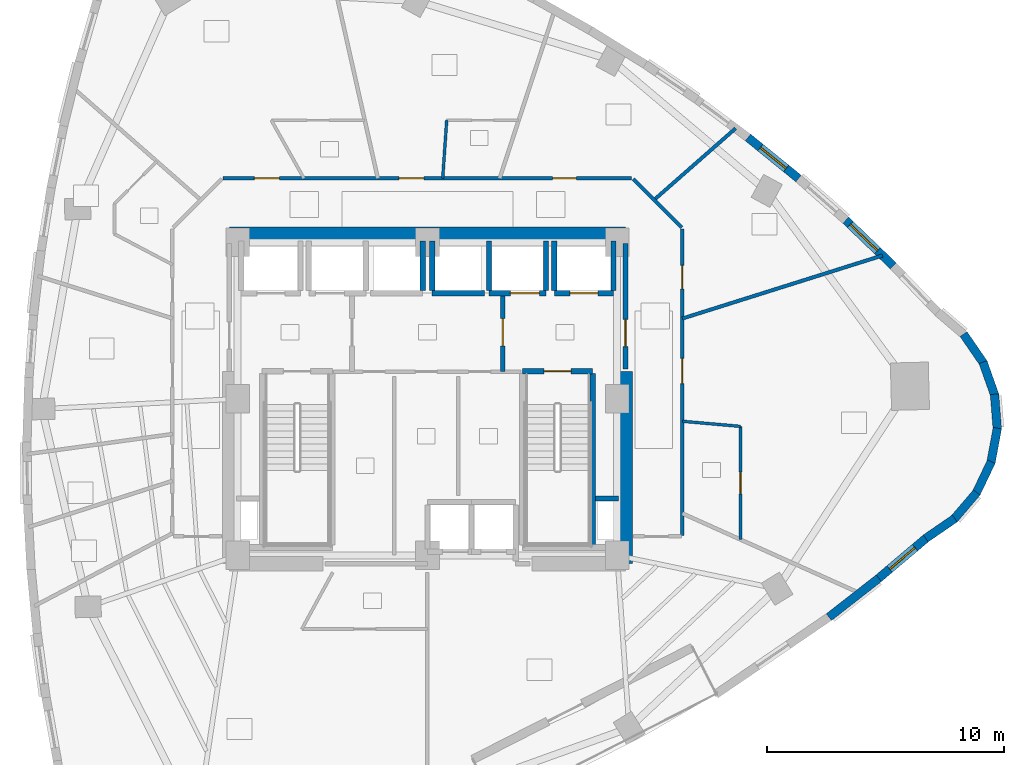
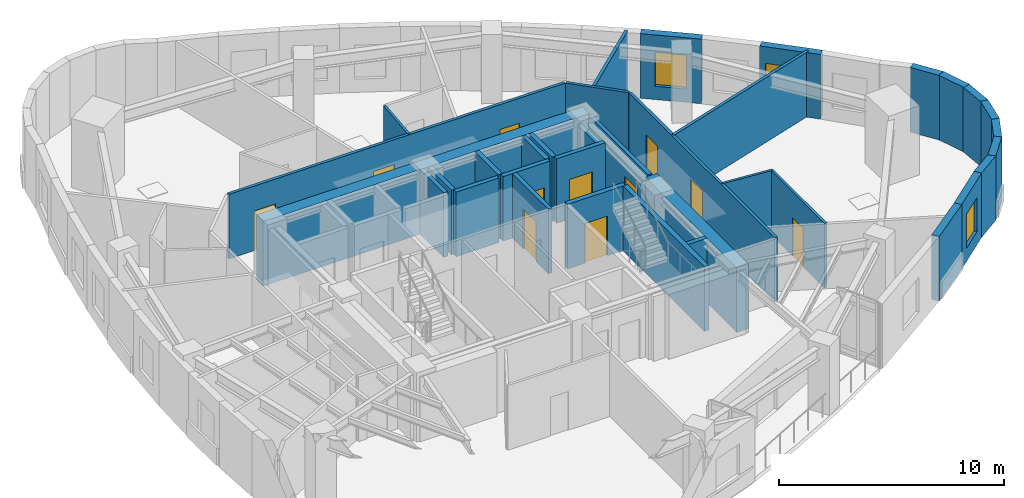
# One storey, part 7 of 11: 35 walls, 11 doors, 3 windows, 14 openings.
"""IFC4 building model written with IfcOpenShell, lengths in metres."""

from ifc_helpers import new_model, si_unit, direction, frame, frame_2d, origin, place, context, subcontext, project, spatial, rectangle, extrude, material, layer, layer_set, type_object, element, fill, save


model = new_model("IFC4")

# Units and contexts
model_context = context("Model", 3, precision=1e-05, world=origin(), true_north=direction((0.0, 1.0)))
body_context = subcontext(model_context, "Body", "Model", "MODEL_VIEW")
ifc_project = project(units=[si_unit("LENGTHUNIT", "METRE"), si_unit("AREAUNIT", "SQUARE_METRE"), si_unit("VOLUMEUNIT", "CUBIC_METRE"), si_unit("PLANEANGLEUNIT", "RADIAN"), si_unit("MASSUNIT", "GRAM", prefix="KILO")], contexts=[model_context])

# Site, building, storey
site_placement = place(None, origin())
site = spatial("IfcSite", under=ifc_project, at=site_placement, CompositionType="ELEMENT")
building_placement = place(site_placement, origin())
building = spatial("IfcBuilding", under=site, at=building_placement, Name="Ndelora Gate Hotel", CompositionType="ELEMENT")
storey_placement = place(building_placement, frame((0.0, 0.0, 108.5)))
storey = spatial("IfcBuildingStorey", under=building, at=storey_placement, Name="L26", CompositionType="ELEMENT", Elevation=108.5)

# Wall
ifc_material_1 = material(Name="Clay Brick Masonry", Category="masonry")
ifc_layer_1 = layer(ifc_material_1, 0.360107421875)
ifc_layer_set_1 = layer_set([ifc_layer_1], Name="Clay Brick Masonry")
wall_type_1 = type_object("IfcWallType", Name="WL-BRICK-360", PredefinedType="SOLIDWALL", material=ifc_layer_set_1)
wall_1_placement = place(storey_placement, frame((19.0341796875, -7.561767578125, 0.0), z_axis=(0.0, 0.0, 1.0), x_axis=(-0.788341745542, -0.615237590071, 0.0)))
element("IfcWall", 1, at=wall_1_placement, inside=storey, type_object=wall_type_1, Name="L26 Tower Brick Pier-and-Spandrel Wall TWR-37", PredefinedType="SOLIDWALL", context=body_context, shape_type="SweptSolid", body=[
    extrude(rectangle(XDim=2.669921875, YDim=0.360107421875, at=frame_2d((1.3349609375, 0.0))), origin(), (0.0, 0.0, 1.0), 3.5),
])

# Wall, opening, window
wall_2_placement = place(storey_placement, frame((21.05078125, -5.855712890625, 0.0), z_axis=(0.0, 0.0, 1.0), x_axis=(-0.763688985819, -0.64558433449, 0.0)))
wall_2 = element("IfcWall", 2, at=wall_2_placement, inside=storey, type_object=wall_type_1, Name="L26 Tower Brick Pier-and-Spandrel Wall TWR-38", PredefinedType="SOLIDWALL", context=body_context, shape_type="SweptSolid", body=[
    extrude(rectangle(XDim=2.69140625, YDim=0.360107421875, at=frame_2d((1.345703125, 0.0))), origin(), (0.0, 0.0, 1.0), 3.5),
])
opening_1_placement = place(wall_2_placement, frame((0.645751953125, 0.0, 0.719970703125)))
opening_1 = element("IfcOpeningElement", 3, at=opening_1_placement, cuts=wall_2, Name="Opening W02", PredefinedType="OPENING", context=body_context, shape_type="SweptSolid", body=[
    extrude(rectangle(XDim=1.39990234375, YDim=1.840087890625, at=frame_2d((0.699951171875, 0.919921875))), frame((0.0, 0.18994140625, 0.0), z_axis=(0.0, -1.0, 0.0), x_axis=(1.0, 0.0, 0.0)), (0.0, 0.0, 1.0), 0.380126953125),
])
ifc_material_2 = material(Name="Insulated Low-E Double Glazing in Bronze Aluminium Frame", Category="aluminium")
window_type_1 = type_object("IfcWindowType", Name="WN-DEEP-1400", PartitioningType="SINGLE_PANEL", PredefinedType="WINDOW", material=ifc_material_2)
window_1_placement = place(opening_1_placement, origin())
window_1 = element("IfcWindow", 4, at=window_1_placement, inside=storey, type_object=window_type_1, Name="L26 Deep-Set Brick-Pier Window W02", OverallHeight=1.840087890625, OverallWidth=1.39990234375, PartitioningType="SINGLE_PANEL", PredefinedType="WINDOW", context=body_context, shape_type="SweptSolid", body=[
    extrude(rectangle(XDim=1.39990234375, YDim=1.840087890625, at=frame_2d((0.699951171875, 0.919921875))), frame((0.0, 0.030029296875, 0.0), z_axis=(0.0, -1.0, 0.0), x_axis=(1.0, 0.0, 0.0)), (0.0, 0.0, 1.0), 0.06005859375),
])
fill(opening_1, window_1)

# Walls
for number, where, z_axis, x_axis, name in (
    (5, (22.235595703125, -5.04443359375, 0.0), (0.0, 0.0, 1.0), (-0.824104250472, -0.566438155808, 0.0), "L26 Tower Brick Pier-and-Spandrel Wall TWR-39"),
    (6, (23.163818359375, -3.947998046875, 0.0), (0.0, 0.0, 1.0), (-0.649464075578, -0.760392276745, 0.0), "L26 Tower Brick Pier-and-Spandrel Wall TWR-40"),
):
    element("IfcWall", number, at=place(storey_placement, frame(where, z_axis=z_axis, x_axis=x_axis)), inside=storey, type_object=wall_type_1, Name=name, PredefinedType="SOLIDWALL", context=body_context, shape_type="SweptSolid", body=[
        extrude(rectangle(XDim=1.485595703125, YDim=0.360107421875, at=frame_2d((0.74267578125, 0.0))), origin(), (0.0, 0.0, 1.0), 3.5),
    ])
for number, where, z_axis, x_axis, name in (
    (7, (23.776611328125, -2.6484375, 0.0), (0.0, 0.0, 1.0), (-0.430641383823, -0.902523129088, 0.0), "L26 Tower Brick Pier-and-Spandrel Wall TWR-41"),
    (8, (24.031982421875, -1.234619140625, 0.0), (0.0, 0.0, 1.0), (-0.18238343996, -0.98322748173, 0.0), "L26 Tower Brick Pier-and-Spandrel Wall TWR-42"),
    (9, (23.91259765625, 0.197021484375, 0.0), (0.0, 0.0, 1.0), (0.078543482647, -0.996910688745, 0.0), "L26 Tower Brick Pier-and-Spandrel Wall TWR-43"),
):
    element("IfcWall", number, at=place(storey_placement, frame(where, z_axis=z_axis, x_axis=x_axis)), inside=storey, type_object=wall_type_1, Name=name, PredefinedType="SOLIDWALL", context=body_context, shape_type="SweptSolid", body=[
        extrude(rectangle(XDim=1.48583984375, YDim=0.360107421875, at=frame_2d((0.742919921875, 0.0))), origin(), (0.0, 0.0, 1.0), 3.5),
    ])
for number, where, z_axis, x_axis, name in (
    (10, (23.427001953125, 1.54931640625, 0.0), (0.0, 0.0, 1.0), (0.333816731602, -0.942637995045, 0.0), "L26 Tower Brick Pier-and-Spandrel Wall TWR-44"),
    (11, (22.60791015625, 2.7294921875, 0.0), (0.0, 0.0, 1.0), (0.56647304132, -0.824080271247, 0.0), "L26 Tower Brick Pier-and-Spandrel Wall TWR-45"),
):
    element("IfcWall", number, at=place(storey_placement, frame(where, z_axis=z_axis, x_axis=x_axis)), inside=storey, type_object=wall_type_1, Name=name, PredefinedType="SOLIDWALL", context=body_context, shape_type="SweptSolid", body=[
        extrude(rectangle(XDim=1.486083984375, YDim=0.360107421875, at=frame_2d((0.7431640625, 0.0))), origin(), (0.0, 0.0, 1.0), 3.5),
    ])

# Wall, opening, window
wall_3_placement = place(storey_placement, frame((17.63916015625, 7.531982421875, 0.0), z_axis=(0.0, 0.0, 1.0), x_axis=(0.721375025509, -0.692544635797, 0.0)))
wall_3 = element("IfcWall", 12, at=wall_3_placement, inside=storey, type_object=wall_type_1, Name="L26 Tower Brick Pier-and-Spandrel Wall TWR-48", PredefinedType="SOLIDWALL", context=body_context, shape_type="SweptSolid", body=[
    extrude(rectangle(XDim=2.777587890625, YDim=0.360107421875, at=frame_2d((1.388671875, 0.0))), origin(), (0.0, 0.0, 1.0), 3.5),
])
opening_2_placement = place(wall_3_placement, frame((0.260009765625, 0.0, 0.719970703125)))
opening_2 = element("IfcOpeningElement", 13, at=opening_2_placement, cuts=wall_3, Name="Opening W01", PredefinedType="OPENING", context=body_context, shape_type="SweptSolid", body=[
    extrude(rectangle(XDim=1.60009765625, YDim=1.8798828125, at=frame_2d((0.800048828125, 0.93994140625))), frame((0.0, 0.18994140625, 0.0), z_axis=(0.0, -1.0, 0.0), x_axis=(1.0, 0.0, 0.0)), (0.0, 0.0, 1.0), 0.380126953125),
])
window_type_2 = type_object("IfcWindowType", Name="WN-DEEP-1600", PartitioningType="SINGLE_PANEL", PredefinedType="WINDOW", material=ifc_material_2)
window_2_placement = place(opening_2_placement, origin())
window_2 = element("IfcWindow", 14, at=window_2_placement, inside=storey, type_object=window_type_2, Name="L26 Deep-Set Brick-Pier Window W01", OverallHeight=1.8798828125, OverallWidth=1.60009765625, PartitioningType="SINGLE_PANEL", PredefinedType="WINDOW", context=body_context, shape_type="SweptSolid", body=[
    extrude(rectangle(XDim=1.60009765625, YDim=1.8798828125, at=frame_2d((0.800048828125, 0.93994140625))), frame((0.0, 0.030029296875, 0.0), z_axis=(0.0, -1.0, 0.0), x_axis=(1.0, 0.0, 0.0)), (0.0, 0.0, 1.0), 0.06005859375),
])
fill(opening_2, window_2)

wall_4_placement = place(storey_placement, frame((13.516357421875, 11.021484375, 0.0), z_axis=(0.0, 0.0, 1.0), x_axis=(0.776448630517, -0.630180548866, 0.0)))
wall_4 = element("IfcWall", 15, at=wall_4_placement, inside=storey, type_object=wall_type_1, Name="L26 Tower Brick Pier-and-Spandrel Wall TWR-50", PredefinedType="SOLIDWALL", context=body_context, shape_type="SweptSolid", body=[
    extrude(rectangle(XDim=2.744140625, YDim=0.360107421875, at=frame_2d((1.3720703125, 0.0))), origin(), (0.0, 0.0, 1.0), 3.5),
])
opening_3_placement = place(wall_4_placement, frame((0.672119140625, 0.0, 0.719970703125)))
opening_3 = element("IfcOpeningElement", 16, at=opening_3_placement, cuts=wall_4, Name="Opening W02", PredefinedType="OPENING", context=body_context, shape_type="SweptSolid", body=[
    extrude(rectangle(XDim=1.39990234375, YDim=1.840087890625, at=frame_2d((0.699951171875, 0.919921875))), frame((0.0, 0.18994140625, 0.0), z_axis=(0.0, -1.0, 0.0), x_axis=(1.0, 0.0, 0.0)), (0.0, 0.0, 1.0), 0.380126953125),
])
window_3_placement = place(opening_3_placement, origin())
window_3 = element("IfcWindow", 17, at=window_3_placement, inside=storey, type_object=window_type_1, Name="L26 Deep-Set Brick-Pier Window W02", OverallHeight=1.840087890625, OverallWidth=1.39990234375, PartitioningType="SINGLE_PANEL", PredefinedType="WINDOW", context=body_context, shape_type="SweptSolid", body=[
    extrude(rectangle(XDim=1.39990234375, YDim=1.840087890625, at=frame_2d((0.699951171875, 0.919921875))), frame((0.0, 0.030029296875, 0.0), z_axis=(0.0, -1.0, 0.0), x_axis=(1.0, 0.0, 0.0)), (0.0, 0.0, 1.0), 0.06005859375),
])
fill(opening_3, window_3)

# Walls
ifc_material_3 = material(Name="Concrete C60/75", Category="concrete")
ifc_layer_2 = layer(ifc_material_3, 0.60009765625)
ifc_layer_set_2 = layer_set([ifc_layer_2], Name="Concrete C60/75")
wall_type_2 = type_object("IfcWallType", Name="WL-CORE-600", PredefinedType="SHEAR", material=ifc_layer_set_2)
wall_5_placement = place(storey_placement, frame((-8.35009765625, 6.949951171875, 0.0), z_axis=(0.0, 0.0, 1.0), x_axis=(1.0, 0.0, 0.0)))
element("IfcWall", 18, at=wall_5_placement, inside=storey, type_object=wall_type_2, Name="L26 Core Shear Wall N", PredefinedType="SHEAR", context=body_context, shape_type="SweptSolid", body=[
    extrude(rectangle(XDim=16.7001953125, YDim=0.60009765625, at=frame_2d((8.35009765625, 0.0))), origin(), (0.0, 0.0, 1.0), 3.5),
])
wall_6_placement = place(storey_placement, frame((8.35009765625, -6.949951171875, 0.0), z_axis=(0.0, 0.0, 1.0), x_axis=(0.0, 1.0, 0.0)))
element("IfcWall", 19, at=wall_6_placement, inside=storey, type_object=wall_type_2, Name="L26 Core Shear Wall E", PredefinedType="SHEAR", context=body_context, shape_type="SweptSolid", body=[
    extrude(rectangle(XDim=8.099853515625, YDim=0.60009765625, at=frame_2d((4.0498046875, 0.0))), origin(), (0.0, 0.0, 1.0), 3.5),
])

# Wall, opening, door
ifc_material_4 = material(Name="Concrete C40/50", Category="concrete")
ifc_layer_3 = layer(ifc_material_4, 0.199951171875)
ifc_layer_set_3 = layer_set([ifc_layer_3], Name="Concrete C40/50")
wall_type_3 = type_object("IfcWallType", Name="WL-FIRE-200", PredefinedType="PARTITIONING", material=ifc_layer_set_3)
wall_7_placement = place(storey_placement, frame((3.179931640625, 1.14990234375, 0.0), z_axis=(0.0, 0.0, 1.0), x_axis=(0.0, 1.0, 0.0)))
wall_7 = element("IfcWall", 20, at=wall_7_placement, inside=storey, type_object=wall_type_3, Name="L26 Interior Wall IW-2", PredefinedType="PARTITIONING", context=body_context, shape_type="SweptSolid", body=[
    extrude(rectangle(XDim=3.300048828125, YDim=0.199951171875, at=frame_2d((1.64990234375, 0.0))), origin(), (0.0, 0.0, 1.0), 3.5),
])
opening_4_placement = place(wall_7_placement, frame((1.080078125, 0.0, 0.0)))
opening_4 = element("IfcOpeningElement", 21, at=opening_4_placement, cuts=wall_7, Name="Opening FD1", PredefinedType="OPENING", context=body_context, shape_type="SweptSolid", body=[
    extrude(rectangle(XDim=1.14990234375, YDim=2.14990234375, at=frame_2d((0.574951171875, 1.074951171875))), frame((0.0, 0.10986328125, 0.0), z_axis=(0.0, -1.0, 0.0), x_axis=(1.0, 0.0, 0.0)), (0.0, 0.0, 1.0), 0.219970703125),
])
ifc_material_5 = material(Name="Fire-Rated Timber-Veneer Steel Core", Category="steel")
door_type_1 = type_object("IfcDoorType", Name="DR-FD60", OperationType="SINGLE_SWING_LEFT", PredefinedType="DOOR", material=ifc_material_5)
door_1_placement = place(opening_4_placement, origin())
door_1 = element("IfcDoor", 22, at=door_1_placement, inside=storey, type_object=door_type_1, Name="L26 Firefighting Lobby East Door", OperationType="SINGLE_SWING_LEFT", OverallHeight=2.14990234375, OverallWidth=1.14990234375, PredefinedType="DOOR", context=body_context, shape_type="SweptSolid", body=[
    extrude(rectangle(XDim=1.14990234375, YDim=2.14990234375, at=frame_2d((0.574951171875, 1.074951171875))), frame((0.0, 0.02490234375, 0.0), z_axis=(0.0, -1.0, 0.0), x_axis=(1.0, 0.0, 0.0)), (0.0, 0.0, 1.0), 0.050048828125),
])
fill(opening_4, door_1)

wall_8_placement = place(storey_placement, frame((8.35009765625, 1.25, 0.0), z_axis=(0.0, 0.0, 1.0), x_axis=(0.0, 1.0, 0.0)))
wall_8 = element("IfcWall", 23, at=wall_8_placement, inside=storey, type_object=wall_type_3, Name="L26 Interior Wall IW-2", PredefinedType="PARTITIONING", context=body_context, shape_type="SweptSolid", body=[
    extrude(rectangle(XDim=5.300048828125, YDim=0.199951171875, at=frame_2d((2.64990234375, 0.0))), origin(), (0.0, 0.0, 1.0), 3.5),
])
opening_5_placement = place(wall_8_placement, frame((0.949951171875, 0.0, 0.0)))
opening_5 = element("IfcOpeningElement", 24, at=opening_5_placement, cuts=wall_8, Name="Opening FD1", PredefinedType="OPENING", context=body_context, shape_type="SweptSolid", body=[
    extrude(rectangle(XDim=1.14990234375, YDim=2.14990234375, at=frame_2d((0.574951171875, 1.074951171875))), frame((0.0, 0.10986328125, 0.0), z_axis=(0.0, -1.0, 0.0), x_axis=(1.0, 0.0, 0.0)), (0.0, 0.0, 1.0), 0.219970703125),
])
door_2_placement = place(opening_5_placement, origin())
door_2 = element("IfcDoor", 25, at=door_2_placement, inside=storey, type_object=door_type_1, Name="L26 Firefighting Lobby East Corridor Door", OperationType="SINGLE_SWING_RIGHT", OverallHeight=2.14990234375, OverallWidth=1.14990234375, PredefinedType="DOOR", context=body_context, shape_type="SweptSolid", body=[
    extrude(rectangle(XDim=1.14990234375, YDim=2.14990234375, at=frame_2d((0.574951171875, 1.074951171875))), frame((0.0, 0.02490234375, 0.0), z_axis=(0.0, -1.0, 0.0), x_axis=(1.0, 0.0, 0.0)), (0.0, 0.0, 1.0), 0.050048828125),
])
fill(opening_5, door_2)

# Wall, openings, doors
ifc_material_6 = material(Name="Fire-Rated Gypsum Stud Partition", Category="gypsum")
ifc_layer_4 = layer(ifc_material_6, 0.14990234375)
ifc_layer_set_4 = layer_set([ifc_layer_4], Name="Fire-Rated Gypsum Stud Partition")
wall_type_4 = type_object("IfcWallType", Name="WL-PART-150", PredefinedType="PARTITIONING", material=ifc_layer_set_4)
wall_9_placement = place(storey_placement, frame((10.75, 7.159912109375, 0.0), z_axis=(0.0, 0.0, 1.0), x_axis=(0.0, -1.0, 0.0)))
wall_9 = element("IfcWall", 26, at=wall_9_placement, inside=storey, type_object=wall_type_4, Name="L26 Interior Wall IW-5", PredefinedType="PARTITIONING", context=body_context, shape_type="SweptSolid", body=[
    extrude(rectangle(XDim=12.919921875, YDim=0.14990234375, at=frame_2d((6.4599609375, 0.0))), origin(), (0.0, 0.0, 1.0), 3.5),
])
opening_6_placement = place(wall_9_placement, frame((1.526611328125, 0.0, 0.0)))
opening_6 = element("IfcOpeningElement", 27, at=opening_6_placement, cuts=wall_9, Name="Opening D01", PredefinedType="OPENING", context=body_context, shape_type="SweptSolid", body=[
    extrude(rectangle(XDim=1.0, YDim=2.14990234375, at=frame_2d((0.5, 1.074951171875))), frame((0.0, 0.0849609375, 0.0), z_axis=(0.0, -1.0, 0.0), x_axis=(1.0, 0.0, 0.0)), (0.0, 0.0, 1.0), 0.169921875),
])
opening_7_placement = place(wall_9_placement, frame((5.455078125, 0.0, 0.0)))
opening_7 = element("IfcOpeningElement", 28, at=opening_7_placement, cuts=wall_9, Name="Opening D07", PredefinedType="OPENING", context=body_context, shape_type="SweptSolid", body=[
    extrude(rectangle(XDim=1.06005859375, YDim=2.14990234375, at=frame_2d((0.530029296875, 1.074951171875))), frame((0.0, 0.0849609375, 0.0), z_axis=(0.0, -1.0, 0.0), x_axis=(1.0, 0.0, 0.0)), (0.0, 0.0, 1.0), 0.169921875),
])
ifc_material_7 = material(Name="Acoustic Hardwood Guest Entrance Door", Category="wood")
door_type_2 = type_object("IfcDoorType", Name="DR-COR-1000", OperationType="SINGLE_SWING_LEFT", PredefinedType="DOOR", material=ifc_material_7)
door_3_placement = place(opening_6_placement, origin())
door_3 = element("IfcDoor", 29, at=door_3_placement, inside=storey, type_object=door_type_2, Name="L26 Executive Study Office Entrance Door", OperationType="SINGLE_SWING_RIGHT", OverallHeight=2.14990234375, OverallWidth=1.0, PredefinedType="DOOR", context=body_context, shape_type="SweptSolid", body=[
    extrude(rectangle(XDim=1.0, YDim=2.14990234375, at=frame_2d((0.5, 1.074951171875))), frame((0.0, 0.02490234375, 0.0), z_axis=(0.0, -1.0, 0.0), x_axis=(1.0, 0.0, 0.0)), (0.0, 0.0, 1.0), 0.050048828125),
])
fill(opening_6, door_3)
ifc_material_8 = material(Name="Diplomatic Suite Acoustic Entrance Door", Category="wood")
door_type_3 = type_object("IfcDoorType", Name="DR-SUITE-1060", OperationType="SINGLE_SWING_LEFT", PredefinedType="DOOR", material=ifc_material_8)
door_4_placement = place(opening_7_placement, origin())
door_4 = element("IfcDoor", 30, at=door_4_placement, inside=storey, type_object=door_type_3, Name="L26 Club King Junior Suite 2902 Entrance Door", OperationType="SINGLE_SWING_LEFT", OverallHeight=2.14990234375, OverallWidth=1.06005859375, PredefinedType="DOOR", context=body_context, shape_type="SweptSolid", body=[
    extrude(rectangle(XDim=1.06005859375, YDim=2.14990234375, at=frame_2d((0.530029296875, 1.074951171875))), frame((0.0, 0.02490234375, 0.0), z_axis=(0.0, -1.0, 0.0), x_axis=(1.0, 0.0, 0.0)), (0.0, 0.0, 1.0), 0.050048828125),
])
fill(opening_7, door_4)

# Wall
wall_10_placement = place(storey_placement, frame((8.67822265625, 9.271728515625, 0.0), z_axis=(0.0, 0.0, 1.0), x_axis=(0.707106781187, -0.707106781187, 0.0)))
element("IfcWall", 31, at=wall_10_placement, inside=storey, type_object=wall_type_4, Name="L26 Interior Wall IW-5", PredefinedType="PARTITIONING", context=body_context, shape_type="SweptSolid", body=[
    extrude(rectangle(XDim=2.889892578125, YDim=0.14990234375, at=frame_2d((1.44482421875, 0.0))), origin(), (0.0, 0.0, 1.0), 3.5),
])

# Wall, openings, doors
wall_11_placement = place(storey_placement, frame((-8.610107421875, 9.300048828125, 0.0), z_axis=(0.0, 0.0, 1.0), x_axis=(1.0, 0.0, 0.0)))
wall_11 = element("IfcWall", 32, at=wall_11_placement, inside=storey, type_object=wall_type_4, Name="L26 Interior Wall IW-5", PredefinedType="PARTITIONING", context=body_context, shape_type="SweptSolid", body=[
    extrude(rectangle(XDim=17.22021484375, YDim=0.14990234375, at=frame_2d((8.610107421875, 0.0))), origin(), (0.0, 0.0, 1.0), 3.5),
])
opening_8_placement = place(wall_11_placement, frame((13.88818359375, 0.0, 0.0)))
opening_8 = element("IfcOpeningElement", 33, at=opening_8_placement, cuts=wall_11, Name="Opening D01", PredefinedType="OPENING", context=body_context, shape_type="SweptSolid", body=[
    extrude(rectangle(XDim=1.0, YDim=2.14990234375, at=frame_2d((0.5, 1.074951171875))), frame((0.0, 0.0849609375, 0.0), z_axis=(0.0, -1.0, 0.0), x_axis=(1.0, 0.0, 0.0)), (0.0, 0.0, 1.0), 0.169921875),
])
opening_9_placement = place(wall_11_placement, frame((7.404052734375, 0.0, 0.0)))
opening_9 = element("IfcOpeningElement", 34, at=opening_9_placement, cuts=wall_11, Name="Opening D07", PredefinedType="OPENING", context=body_context, shape_type="SweptSolid", body=[
    extrude(rectangle(XDim=1.06005859375, YDim=2.14990234375, at=frame_2d((0.530029296875, 1.074951171875))), frame((0.0, 0.0849609375, 0.0), z_axis=(0.0, -1.0, 0.0), x_axis=(1.0, 0.0, 0.0)), (0.0, 0.0, 1.0), 0.169921875),
])
opening_10_placement = place(wall_11_placement, frame((1.309326171875, 0.0, 0.0)))
opening_10 = element("IfcOpeningElement", 35, at=opening_10_placement, cuts=wall_11, Name="Opening D07", PredefinedType="OPENING", context=body_context, shape_type="SweptSolid", body=[
    extrude(rectangle(XDim=1.06005859375, YDim=2.14990234375, at=frame_2d((0.530029296875, 1.074951171875))), frame((0.0, 0.0849609375, 0.0), z_axis=(0.0, -1.0, 0.0), x_axis=(1.0, 0.0, 0.0)), (0.0, 0.0, 1.0), 0.169921875),
])
door_5_placement = place(opening_8_placement, origin())
door_5 = element("IfcDoor", 36, at=door_5_placement, inside=storey, type_object=door_type_2, Name="L26 Diplomatic Meeting Room Entrance Door", OperationType="SINGLE_SWING_LEFT", OverallHeight=2.14990234375, OverallWidth=1.0, PredefinedType="DOOR", context=body_context, shape_type="SweptSolid", body=[
    extrude(rectangle(XDim=1.0, YDim=2.14990234375, at=frame_2d((0.5, 1.074951171875))), frame((0.0, 0.02490234375, 0.0), z_axis=(0.0, -1.0, 0.0), x_axis=(1.0, 0.0, 0.0)), (0.0, 0.0, 1.0), 0.050048828125),
])
fill(opening_8, door_5)
door_6_placement = place(opening_9_placement, origin())
door_6 = element("IfcDoor", 37, at=door_6_placement, inside=storey, type_object=door_type_3, Name="L26 Panoramic South Diplomatic Suite 2903 Entrance Door", OperationType="SINGLE_SWING_RIGHT", OverallHeight=2.14990234375, OverallWidth=1.06005859375, PredefinedType="DOOR", context=body_context, shape_type="SweptSolid", body=[
    extrude(rectangle(XDim=1.06005859375, YDim=2.14990234375, at=frame_2d((0.530029296875, 1.074951171875))), frame((0.0, 0.02490234375, 0.0), z_axis=(0.0, -1.0, 0.0), x_axis=(1.0, 0.0, 0.0)), (0.0, 0.0, 1.0), 0.050048828125),
])
fill(opening_9, door_6)
door_7_placement = place(opening_10_placement, origin())
door_7 = element("IfcDoor", 38, at=door_7_placement, inside=storey, type_object=door_type_3, Name="L26 Corner Club Suite 2904 Entrance Door", OperationType="SINGLE_SWING_RIGHT", OverallHeight=2.14990234375, OverallWidth=1.06005859375, PredefinedType="DOOR", context=body_context, shape_type="SweptSolid", body=[
    extrude(rectangle(XDim=1.06005859375, YDim=2.14990234375, at=frame_2d((0.530029296875, 1.074951171875))), frame((0.0, 0.02490234375, 0.0), z_axis=(0.0, -1.0, 0.0), x_axis=(1.0, 0.0, 0.0)), (0.0, 0.0, 1.0), 0.050048828125),
])
fill(opening_10, door_7)

# Walls
wall_12_placement = place(storey_placement, frame((10.75, 3.386962890625, 0.0), z_axis=(0.0, 0.0, 1.0), x_axis=(0.953780573383, 0.300503939804, 0.0)))
element("IfcWall", 39, at=wall_12_placement, inside=storey, type_object=wall_type_4, Name="L26 Interior Wall IW-5", PredefinedType="PARTITIONING", context=body_context, shape_type="SweptSolid", body=[
    extrude(rectangle(XDim=8.8466796875, YDim=0.14990234375, at=frame_2d((4.42333984375, 0.0))), origin(), (0.0, 0.0, 1.0), 3.5),
])
wall_13_placement = place(storey_placement, frame((9.5595703125, 8.390380859375, 0.0), z_axis=(0.0, 0.0, 1.0), x_axis=(0.751553842158, 0.659671753478, 0.0)))
element("IfcWall", 40, at=wall_13_placement, inside=storey, type_object=wall_type_4, Name="L26 Interior Wall IW-5", PredefinedType="PARTITIONING", context=body_context, shape_type="SweptSolid", body=[
    extrude(rectangle(XDim=4.572998046875, YDim=0.14990234375, at=frame_2d((2.28662109375, 0.0))), origin(), (0.0, 0.0, 1.0), 3.5),
])
ifc_layer_5 = layer(ifc_material_4, 0.219970703125)
ifc_layer_set_5 = layer_set([ifc_layer_5], Name="Concrete C40/50")
wall_type_5 = type_object("IfcWallType", Name="WL-SHAFT-220", PredefinedType="PARTITIONING", material=ifc_layer_set_5)
wall_14_placement = place(storey_placement, frame((7.090087890625, -4.199951171875, 0.0), z_axis=(0.0, 0.0, 1.0), x_axis=(1.0, 0.0, 0.0)))
element("IfcWall", 41, at=wall_14_placement, inside=storey, type_object=wall_type_5, Name="L26 Interior Wall IW-1", PredefinedType="PARTITIONING", context=body_context, shape_type="SweptSolid", body=[
    extrude(rectangle(XDim=0.9599609375, YDim=0.219970703125, at=frame_2d((0.47998046875, 0.0))), origin(), (0.0, 0.0, 1.0), 3.5),
])

# Wall, opening, door
wall_15_placement = place(storey_placement, frame((5.35009765625, 4.449951171875, 0.0), z_axis=(0.0, 0.0, 1.0), x_axis=(1.0, 0.0, 0.0)))
wall_15 = element("IfcWall", 42, at=wall_15_placement, inside=storey, type_object=wall_type_5, Name="L26 Interior Wall IW-1", PredefinedType="PARTITIONING", context=body_context, shape_type="SweptSolid", body=[
    extrude(rectangle(XDim=2.5, YDim=0.219970703125, at=frame_2d((1.25, 0.0))), origin(), (0.0, 0.0, 1.0), 3.5),
])
opening_11_placement = place(wall_15_placement, frame((0.659912109375, 0.0, 0.0)))
opening_11 = element("IfcOpeningElement", 43, at=opening_11_placement, cuts=wall_15, Name="Opening LD5", PredefinedType="OPENING", context=body_context, shape_type="SweptSolid", body=[
    extrude(rectangle(XDim=1.179931640625, YDim=2.14990234375, at=frame_2d((0.58984375, 1.074951171875))), frame((0.0, 0.1201171875, 0.0), z_axis=(0.0, -1.0, 0.0), x_axis=(1.0, 0.0, 0.0)), (0.0, 0.0, 1.0), 0.239990234375),
])
ifc_material_9 = material(Name="Firefighting Lift Stainless Sliding Landing Door", Category="metal")
door_type_4 = type_object("IfcDoorType", Name="DR-LD5", OperationType="DOUBLE_DOOR_SLIDING", PredefinedType="DOOR", material=ifc_material_9)
door_8_placement = place(opening_11_placement, origin())
door_8 = element("IfcDoor", 44, at=door_8_placement, inside=storey, type_object=door_type_4, Name="L26 Lift Landing Sliding Door FFL2", OperationType="DOUBLE_DOOR_SLIDING", OverallHeight=2.14990234375, OverallWidth=1.179931640625, PredefinedType="DOOR", context=body_context, shape_type="SweptSolid", body=[
    extrude(rectangle(XDim=1.179931640625, YDim=2.14990234375, at=frame_2d((0.58984375, 1.074951171875))), frame((0.0, 0.02490234375, 0.0), z_axis=(0.0, -1.0, 0.0), x_axis=(1.0, 0.0, 0.0)), (0.0, 0.0, 1.0), 0.050048828125),
])
fill(opening_11, door_8)

# Walls
wall_16_placement = place(storey_placement, frame((5.35009765625, 4.570068359375, 0.0), z_axis=(0.0, 0.0, 1.0), x_axis=(0.0, 1.0, 0.0)))
element("IfcWall", 45, at=wall_16_placement, inside=storey, type_object=wall_type_5, Name="L26 Interior Wall IW-1", PredefinedType="PARTITIONING", context=body_context, shape_type="SweptSolid", body=[
    extrude(rectangle(XDim=2.079833984375, YDim=0.219970703125, at=frame_2d((1.0400390625, 0.0))), origin(), (0.0, 0.0, 1.0), 3.5),
])
wall_17_placement = place(storey_placement, frame((7.85009765625, 4.570068359375, 0.0), z_axis=(0.0, 0.0, 1.0), x_axis=(0.0, 1.0, 0.0)))
element("IfcWall", 46, at=wall_17_placement, inside=storey, type_object=wall_type_5, Name="L26 Interior Wall IW-1", PredefinedType="PARTITIONING", context=body_context, shape_type="SweptSolid", body=[
    extrude(rectangle(XDim=2.079833984375, YDim=0.219970703125, at=frame_2d((1.0400390625, 0.0))), origin(), (0.0, 0.0, 1.0), 3.1201171875),
])

# Wall, opening, door
wall_18_placement = place(storey_placement, frame((2.60009765625, 4.449951171875, 0.0), z_axis=(0.0, 0.0, 1.0), x_axis=(1.0, 0.0, 0.0)))
wall_18 = element("IfcWall", 47, at=wall_18_placement, inside=storey, type_object=wall_type_5, Name="L26 Interior Wall IW-1", PredefinedType="PARTITIONING", context=body_context, shape_type="SweptSolid", body=[
    extrude(rectangle(XDim=2.39990234375, YDim=0.219970703125, at=frame_2d((1.199951171875, 0.0))), origin(), (0.0, 0.0, 1.0), 3.5),
])
opening_12_placement = place(wall_18_placement, frame((0.89990234375, 0.0, 0.0)))
opening_12 = element("IfcOpeningElement", 48, at=opening_12_placement, cuts=wall_18, Name="Opening LD6", PredefinedType="OPENING", context=body_context, shape_type="SweptSolid", body=[
    extrude(rectangle(XDim=1.219970703125, YDim=2.14990234375, at=frame_2d((0.60986328125, 1.074951171875))), frame((0.0, 0.1201171875, 0.0), z_axis=(0.0, -1.0, 0.0), x_axis=(1.0, 0.0, 0.0)), (0.0, 0.0, 1.0), 0.239990234375),
])
ifc_material_10 = material(Name="Heavy-Duty Service Lift Sliding Landing Door", Category="wood")
door_type_5 = type_object("IfcDoorType", Name="DR-LD6", OperationType="DOUBLE_DOOR_SLIDING", PredefinedType="DOOR", material=ifc_material_10)
door_9_placement = place(opening_12_placement, origin())
door_9 = element("IfcDoor", 49, at=door_9_placement, inside=storey, type_object=door_type_5, Name="L26 Lift Landing Sliding Door SVL2", OperationType="DOUBLE_DOOR_SLIDING", OverallHeight=2.14990234375, OverallWidth=1.219970703125, PredefinedType="DOOR", context=body_context, shape_type="SweptSolid", body=[
    extrude(rectangle(XDim=1.219970703125, YDim=2.14990234375, at=frame_2d((0.60986328125, 1.074951171875))), frame((0.0, 0.02490234375, 0.0), z_axis=(0.0, -1.0, 0.0), x_axis=(1.0, 0.0, 0.0)), (0.0, 0.0, 1.0), 0.050048828125),
])
fill(opening_12, door_9)

# Walls
for number, where, z_axis, x_axis, name in (
    (50, (2.60009765625, 4.570068359375, 0.0), (0.0, 0.0, 1.0), (0.0, 1.0, 0.0), "L26 Interior Wall IW-1"),
    (51, (5.0, 4.570068359375, 0.0), (0.0, 0.0, 1.0), (0.0, 1.0, 0.0), "L26 Interior Wall IW-1"),
    (52, (-0.199951171875, 4.570068359375, 0.0), (0.0, 0.0, 1.0), (0.0, 1.0, 0.0), "L26 Interior Wall IW-1"),
):
    element("IfcWall", number, at=place(storey_placement, frame(where, z_axis=z_axis, x_axis=x_axis)), inside=storey, type_object=wall_type_5, Name=name, PredefinedType="PARTITIONING", context=body_context, shape_type="SweptSolid", body=[
        extrude(rectangle(XDim=2.079833984375, YDim=0.219970703125, at=frame_2d((1.0400390625, 0.0))), origin(), (0.0, 0.0, 1.0), 3.5),
    ])
wall_19_placement = place(storey_placement, frame((0.199951171875, 4.449951171875, 0.0), z_axis=(0.0, 0.0, 1.0), x_axis=(1.0, 0.0, 0.0)))
element("IfcWall", 53, at=wall_19_placement, inside=storey, type_object=wall_type_5, Name="L26 Interior Wall IW-1", PredefinedType="PARTITIONING", context=body_context, shape_type="SweptSolid", body=[
    extrude(rectangle(XDim=2.199951171875, YDim=0.219970703125, at=frame_2d((1.10009765625, 0.0))), origin(), (0.0, 0.0, 1.0), 3.5),
])
wall_20_placement = place(storey_placement, frame((0.199951171875, 4.570068359375, 0.0), z_axis=(0.0, 0.0, 1.0), x_axis=(0.0, 1.0, 0.0)))
element("IfcWall", 54, at=wall_20_placement, inside=storey, type_object=wall_type_5, Name="L26 Interior Wall IW-1", PredefinedType="PARTITIONING", context=body_context, shape_type="SweptSolid", body=[
    extrude(rectangle(XDim=2.079833984375, YDim=0.219970703125, at=frame_2d((1.0400390625, 0.0))), origin(), (0.0, 0.0, 1.0), 3.5),
])
ifc_material_11 = material(Name="Concrete C50/60", Category="concrete")
ifc_layer_6 = layer(ifc_material_11, 0.239990234375)
ifc_layer_set_6 = layer_set([ifc_layer_6], Name="Concrete C50/60")
wall_type_6 = type_object("IfcWallType", Name="WL-STAIR-240", PredefinedType="SHEAR", material=ifc_layer_set_6)
wall_21_placement = place(storey_placement, frame((6.969970703125, -6.159912109375, 0.0), z_axis=(0.0, 0.0, 1.0), x_axis=(0.0, 1.0, 0.0)))
element("IfcWall", 55, at=wall_21_placement, inside=storey, type_object=wall_type_6, Name="L26 Stair Core Shear Wall SW-ST", PredefinedType="SHEAR", context=body_context, shape_type="SweptSolid", body=[
    extrude(rectangle(XDim=7.219970703125, YDim=0.239990234375, at=frame_2d((3.60986328125, 0.0))), origin(), (0.0, 0.0, 1.0), 3.5),
])

# Wall, opening, door
wall_22_placement = place(storey_placement, frame((4.010009765625, 1.169921875, 0.0), z_axis=(0.0, 0.0, 1.0), x_axis=(1.0, 0.0, 0.0)))
wall_22 = element("IfcWall", 56, at=wall_22_placement, inside=storey, type_object=wall_type_6, Name="L26 Stair Core Shear Wall SW-ST", PredefinedType="SHEAR", context=body_context, shape_type="SweptSolid", body=[
    extrude(rectangle(XDim=2.9599609375, YDim=0.239990234375, at=frame_2d((1.47998046875, 0.0))), origin(), (0.0, 0.0, 1.0), 3.5),
])
opening_13_placement = place(wall_22_placement, frame((0.89990234375, 0.0, 0.0)))
opening_13 = element("IfcOpeningElement", 57, at=opening_13_placement, cuts=wall_22, Name="Opening FD1", PredefinedType="OPENING", context=body_context, shape_type="SweptSolid", body=[
    extrude(rectangle(XDim=1.14990234375, YDim=2.14990234375, at=frame_2d((0.574951171875, 1.074951171875))), frame((0.0, 0.1298828125, 0.0), z_axis=(0.0, -1.0, 0.0), x_axis=(1.0, 0.0, 0.0)), (0.0, 0.0, 1.0), 0.260009765625),
])
door_10_placement = place(opening_13_placement, origin())
door_10 = element("IfcDoor", 58, at=door_10_placement, inside=storey, type_object=door_type_1, Name="L26 Exit Stair ST5 Door", OperationType="SINGLE_SWING_RIGHT", OverallHeight=2.14990234375, OverallWidth=1.14990234375, PredefinedType="DOOR", context=body_context, shape_type="SweptSolid", body=[
    extrude(rectangle(XDim=1.14990234375, YDim=2.14990234375, at=frame_2d((0.574951171875, 1.074951171875))), frame((0.0, 0.02490234375, 0.0), z_axis=(0.0, -1.0, 0.0), x_axis=(1.0, 0.0, 0.0)), (0.0, 0.0, 1.0), 0.050048828125),
])
fill(opening_13, door_10)

# Wall
ifc_material_12 = material(Name="Moisture-Resistant Bathroom Tile Partition", Category="gypsum")
ifc_layer_7 = layer(ifc_material_12, 0.1201171875)
ifc_layer_set_7 = layer_set([ifc_layer_7], Name="Moisture-Resistant Bathroom Tile Partition")
wall_type_7 = type_object("IfcWallType", Name="WL-WET-120", PredefinedType="PARTITIONING", material=ifc_layer_set_7)
wall_23_placement = place(storey_placement, frame((10.75, -0.945068359375, 0.0), z_axis=(0.0, 0.0, 1.0), x_axis=(0.996159700727, -0.087554843651, 0.0)))
element("IfcWall", 59, at=wall_23_placement, inside=storey, type_object=wall_type_7, Name="L26 Interior Wall IW-7", PredefinedType="PARTITIONING", context=body_context, shape_type="SweptSolid", body=[
    extrude(rectangle(XDim=2.45947265625, YDim=0.1201171875, at=frame_2d((1.229736328125, 0.0))), origin(), (0.0, 0.0, 1.0), 3.5),
])

# Wall, opening, door
wall_24_placement = place(storey_placement, frame((13.199951171875, -1.160400390625, 0.0), z_axis=(0.0, 0.0, 1.0), x_axis=(0.0, -1.0, 0.0)))
wall_24 = element("IfcWall", 60, at=wall_24_placement, inside=storey, type_object=wall_type_7, Name="L26 Interior Wall IW-7", PredefinedType="PARTITIONING", context=body_context, shape_type="SweptSolid", body=[
    extrude(rectangle(XDim=4.77197265625, YDim=0.1201171875, at=frame_2d((2.385986328125, 0.0))), origin(), (0.0, 0.0, 1.0), 3.5),
])
opening_14_placement = place(wall_24_placement, frame((1.92578125, 0.0, 0.0)))
opening_14 = element("IfcOpeningElement", 61, at=opening_14_placement, cuts=wall_24, Name="Opening D03", PredefinedType="OPENING", context=body_context, shape_type="SweptSolid", body=[
    extrude(rectangle(XDim=0.919921875, YDim=2.10009765625, at=frame_2d((0.4599609375, 1.050048828125))), frame((0.0, 0.070068359375, 0.0), z_axis=(0.0, -1.0, 0.0), x_axis=(1.0, 0.0, 0.0)), (0.0, 0.0, 1.0), 0.14013671875),
])
ifc_material_13 = material(Name="Moisture-Resistant Hardwood En-Suite Door", Category="wood")
door_type_6 = type_object("IfcDoorType", Name="DR-BATH-920", OperationType="SINGLE_SWING_LEFT", PredefinedType="DOOR", material=ifc_material_13)
door_11_placement = place(opening_14_placement, origin())
door_11 = element("IfcDoor", 62, at=door_11_placement, inside=storey, type_object=door_type_6, Name="L26 En-suite Bathroom 2902 Door", OperationType="SINGLE_SWING_LEFT", OverallHeight=2.10009765625, OverallWidth=0.919921875, PredefinedType="DOOR", context=body_context, shape_type="SweptSolid", body=[
    extrude(rectangle(XDim=0.919921875, YDim=2.10009765625, at=frame_2d((0.4599609375, 1.050048828125))), frame((0.0, 0.02490234375, 0.0), z_axis=(0.0, -1.0, 0.0), x_axis=(1.0, 0.0, 0.0)), (0.0, 0.0, 1.0), 0.050048828125),
])
fill(opening_14, door_11)

# Wall
wall_25_placement = place(storey_placement, frame((0.644287109375, 9.300048828125, 0.0), z_axis=(0.0, 0.0, 1.0), x_axis=(0.069191030047, 0.997603428904, 0.0)))
element("IfcWall", 63, at=wall_25_placement, inside=storey, type_object=wall_type_7, Name="L26 Interior Wall IW-7", PredefinedType="PARTITIONING", context=body_context, shape_type="SweptSolid", body=[
    extrude(rectangle(XDim=2.455810546875, YDim=0.1201171875, at=frame_2d((1.22802734375, 0.0))), origin(), (0.0, 0.0, 1.0), 3.5),
])

save(model, "model.ifc")
